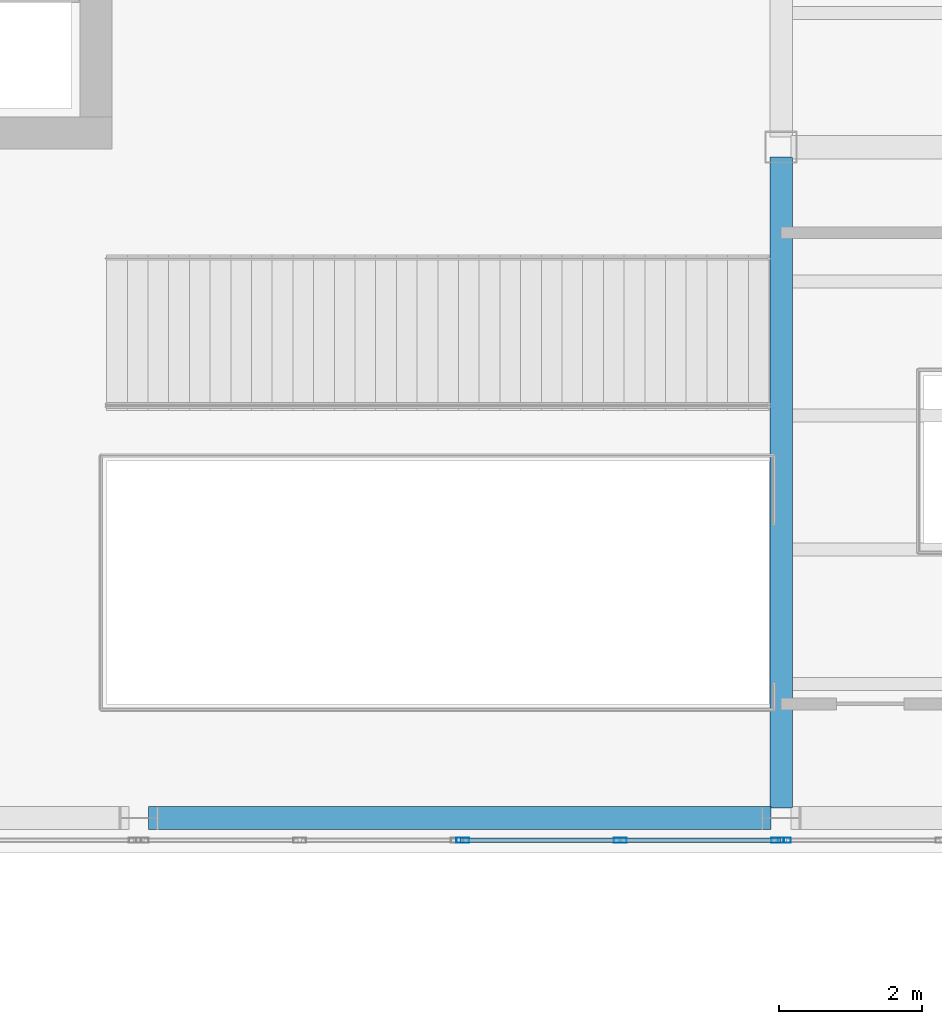
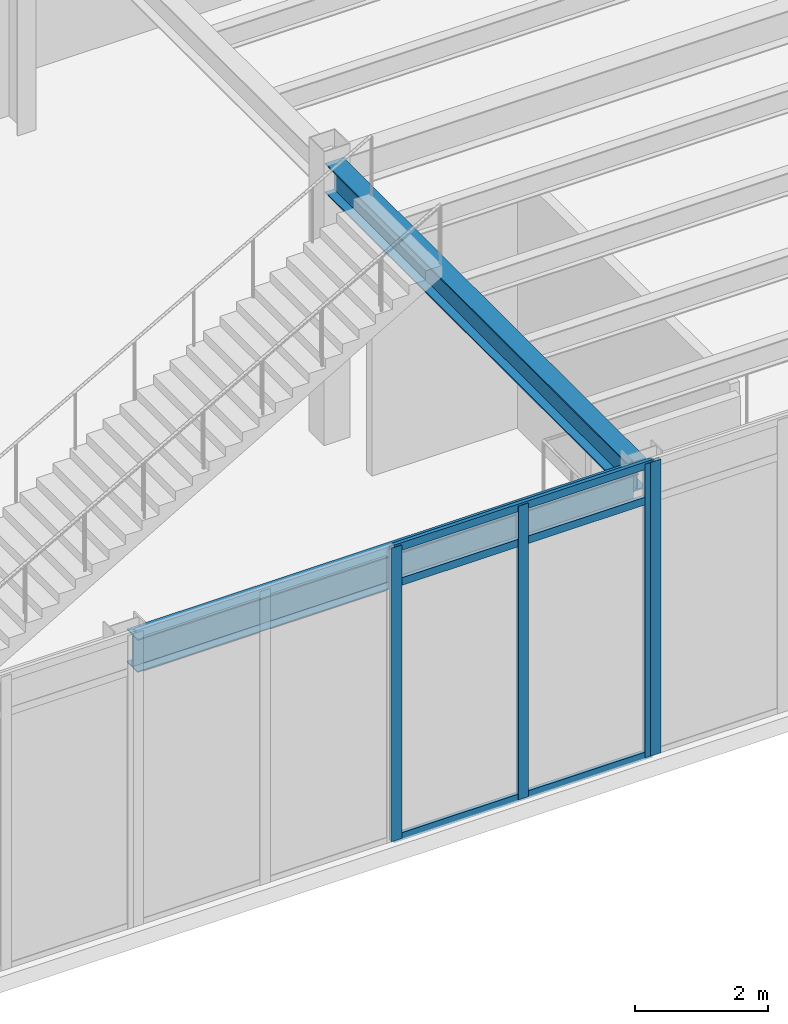
# One storey, part 56 of 98: 7 members, 2 beams, 2 elements without a shape of their own.
"""IFC4 building model written with IfcOpenShell, lengths in metres."""

from ifc_helpers import new_model, si_unit, direction, frame, origin, origin_2d, place, context, subcontext, project, spatial, hollow_rectangle, i_section, extrude, material, layer, layer_set, material_profile, profile_set, type_object, element, aggregate, save


model = new_model("IFC4")

# Units and contexts
model_context = context("Model", 3, precision=1e-05, world=origin(), true_north=direction((0.0, 1.0)))
body_context = subcontext(model_context, "Body", "Model", "MODEL_VIEW")
ifc_project = project(units=[si_unit("LENGTHUNIT", "METRE"), si_unit("AREAUNIT", "SQUARE_METRE"), si_unit("VOLUMEUNIT", "CUBIC_METRE"), si_unit("PLANEANGLEUNIT", "RADIAN"), si_unit("MASSUNIT", "GRAM", prefix="KILO")], contexts=[model_context])

# Site, building, storey
site_placement = place(None, origin())
site = spatial("IfcSite", under=ifc_project, at=site_placement, CompositionType="ELEMENT")
building_placement = place(site_placement, origin())
building = spatial("IfcBuilding", under=site, at=building_placement, Name="Sollismere Congress Hotel", CompositionType="ELEMENT")
storey_placement = place(building_placement, frame((0.0, 0.0, 5.39990234375)))
storey = spatial("IfcBuildingStorey", under=building, at=storey_placement, Name="L01", CompositionType="ELEMENT", Elevation=5.39990234375)

# Beams
ifc_material_1 = material(Name="Steel ASTM A992 Grade 50", Category="steel")
ifc_material_profile_1 = material_profile(ifc_material_1, i_section(OverallWidth=0.31494140625, OverallDepth=0.551025390625, WebThickness=0.01513671875, FlangeThickness=0.0244140625, at=origin_2d()), Name="W21X122")
ifc_profile_set_1 = profile_set([ifc_material_profile_1], Name="Steel ASTM A992 Grade 50")
beam_type_1 = type_object("IfcBeamType", Name="BM-G21H", PredefinedType="BEAM", material=ifc_profile_set_1)
beam_1_placement = place(storey_placement, frame((94.0, 66.93994140625, 4.844482421875), z_axis=(0.0, 1.0, 0.0), x_axis=(-1.0, 0.0, 0.0)))
element("IfcBeam", 1, at=beam_1_placement, inside=storey, type_object=beam_type_1, Name="Beam BM-L01-1670", PredefinedType="BEAM", context=body_context, shape_type="SweptSolid", body=[
    extrude(i_section(OverallWidth=0.31494140625, OverallDepth=0.551025390625, WebThickness=0.01513671875, FlangeThickness=0.0244140625, at=origin_2d()), origin(), (0.0, 0.0, 1.0), 9.1201171875),
])
ifc_material_profile_2 = material_profile(ifc_material_1, i_section(OverallWidth=0.324951171875, OverallDepth=0.612060546875, WebThickness=0.0126953125, FlangeThickness=0.01904296875, at=origin_2d()), Name="W24X104")
ifc_profile_set_2 = profile_set([ifc_material_profile_2], Name="Steel ASTM A992 Grade 50")
beam_type_2 = type_object("IfcBeamType", Name="BM-G24", PredefinedType="BEAM", material=ifc_profile_set_2)
beam_2_placement = place(storey_placement, frame((85.139892578125, 66.800048828125, 4.814208984375), z_axis=(1.0, 0.0, 0.0), x_axis=(0.0, 1.0, 0.0)))
element("IfcBeam", 2, at=beam_2_placement, inside=storey, type_object=beam_type_2, Name="Beam BM-L01-1592", PredefinedType="BEAM", context=body_context, shape_type="SweptSolid", body=[
    extrude(i_section(OverallWidth=0.324951171875, OverallDepth=0.612060546875, WebThickness=0.0126953125, FlangeThickness=0.01904296875, at=origin_2d()), origin(), (0.0, 0.0, 1.0), 8.72021484375),
])

# Curtain wall, members
ifc_material_2 = material(Name="Anodized Bronze Curtain Wall & Low-E Triple Glazing", Category="glass")
ifc_layer = layer(ifc_material_2, 0.199951171875, Name="Anodized Bronze Curtain Wall & Low-E Triple Glazing")
ifc_layer_set = layer_set([ifc_layer], Name="Anodized Bronze Curtain Wall & Low-E Triple Glazing")
curtain_wall_type = type_object("IfcCurtainWallType", Name="CW-GLZ36", PredefinedType="USERDEFINED", material=ifc_layer_set)
curtain_wall_1_placement = place(storey_placement, origin())
curtain_wall_1 = element("IfcCurtainWall", 3, at=curtain_wall_1_placement, inside=storey, type_object=curtain_wall_type, Name="Unitised curtain wall CW-L01-094", ObjectType="UNITISED CURTAIN WALL", PredefinedType="USERDEFINED")
ifc_material_3 = material(Name="Anodized Aluminum 6063-T6", Category="aluminium")
ifc_material_profile_3 = material_profile(ifc_material_3, hollow_rectangle(XDim=0.074951171875, YDim=0.179931640625, WallThickness=0.0048828125, at=origin_2d()), Name="ALU180X75X5")
ifc_profile_set_3 = profile_set([ifc_material_profile_3], Name="Anodized Aluminum 6063-T6")
member_type_1 = type_object("IfcMemberType", Name="ML-CW180", PredefinedType="MULLION", material=ifc_profile_set_3)
member_1_placement = place(storey_placement, frame((89.5380859375, 66.489990234375, 0.0), z_axis=(0.0, 0.0, 1.0), x_axis=(0.0, 1.0, 0.0)))
member_1 = element("IfcMember", 4, at=member_1_placement, type_object=member_type_1, Name="CWL-CW-L01-094-ML01", PredefinedType="MULLION", context=body_context, shape_type="SweptSolid", body=[
    extrude(hollow_rectangle(XDim=0.074951171875, YDim=0.179931640625, WallThickness=0.0048828125, at=origin_2d()), origin(), (0.0, 0.0, 1.0), 5.400146484375),
])
member_2_placement = place(storey_placement, frame((91.7451171875, 66.489990234375, 0.0), z_axis=(0.0, 0.0, 1.0), x_axis=(0.0, 1.0, 0.0)))
member_2 = element("IfcMember", 5, at=member_2_placement, type_object=member_type_1, Name="CWL-CW-L01-094-ML02", PredefinedType="MULLION", context=body_context, shape_type="SweptSolid", body=[
    extrude(hollow_rectangle(XDim=0.074951171875, YDim=0.179931640625, WallThickness=0.0048828125, at=origin_2d()), origin(), (0.0, 0.0, 1.0), 5.400146484375),
])
member_3_placement = place(storey_placement, frame((93.951904296875, 66.489990234375, 0.0), z_axis=(0.0, 0.0, 1.0), x_axis=(0.0, 1.0, 0.0)))
member_3 = element("IfcMember", 6, at=member_3_placement, type_object=member_type_1, Name="CWL-CW-L01-094-ML03", PredefinedType="MULLION", context=body_context, shape_type="SweptSolid", body=[
    extrude(hollow_rectangle(XDim=0.074951171875, YDim=0.179931640625, WallThickness=0.0048828125, at=origin_2d()), origin(), (0.0, 0.0, 1.0), 5.400146484375),
])

# Curtain wall, member
curtain_wall_2_placement = place(storey_placement, origin())
curtain_wall_2 = element("IfcCurtainWall", 7, at=curtain_wall_2_placement, inside=storey, type_object=curtain_wall_type, Name="Unitised curtain wall CW-L01-095", ObjectType="UNITISED CURTAIN WALL", PredefinedType="USERDEFINED")
member_4_placement = place(storey_placement, frame((94.048095703125, 66.489990234375, 0.0), z_axis=(0.0, 0.0, 1.0), x_axis=(0.0, 1.0, 0.0)))
member_4 = element("IfcMember", 8, at=member_4_placement, type_object=member_type_1, Name="CWL-CW-L01-095-ML01", PredefinedType="MULLION", context=body_context, shape_type="SweptSolid", body=[
    extrude(hollow_rectangle(XDim=0.074951171875, YDim=0.179931640625, WallThickness=0.0048828125, at=origin_2d()), origin(), (0.0, 0.0, 1.0), 5.400146484375),
])
aggregate(curtain_wall_2, [member_4])

# Member
ifc_material_profile_4 = material_profile(ifc_material_3, hollow_rectangle(XDim=0.06494140625, YDim=0.139892578125, WallThickness=0.00390625, at=origin_2d()), Name="ALU140X65X4")
ifc_profile_set_4 = profile_set([ifc_material_profile_4], Name="Anodized Aluminum 6063-T6")
member_type_2 = type_object("IfcMemberType", Name="TR-CW150", PredefinedType="MEMBER", material=ifc_profile_set_4)
member_5_placement = place(storey_placement, frame((89.5, 66.489990234375, 0.03271484375), z_axis=(1.0, 0.0, 0.0), x_axis=(0.0, 1.0, 0.0)))
member_5 = element("IfcMember", 9, at=member_5_placement, type_object=member_type_2, Name="CWL-CW-L01-094-TR1", PredefinedType="MEMBER", context=body_context, shape_type="SweptSolid", body=[
    extrude(hollow_rectangle(XDim=0.06494140625, YDim=0.139892578125, WallThickness=0.00390625, at=origin_2d()), origin(), (0.0, 0.0, 1.0), 4.489990234375),
])

member_6_placement = place(storey_placement, frame((89.5, 66.489990234375, 4.72021484375), z_axis=(1.0, 0.0, 0.0), x_axis=(0.0, 1.0, 0.0)))
member_6 = element("IfcMember", 10, at=member_6_placement, type_object=member_type_2, Name="CWL-CW-L01-094-TR2", PredefinedType="MEMBER", context=body_context, shape_type="SweptSolid", body=[
    extrude(hollow_rectangle(XDim=0.06494140625, YDim=0.139892578125, WallThickness=0.00390625, at=origin_2d()), origin(), (0.0, 0.0, 1.0), 4.489990234375),
])

member_7_placement = place(storey_placement, frame((89.5, 66.489990234375, 5.36767578125), z_axis=(1.0, 0.0, 0.0), x_axis=(0.0, 1.0, 0.0)))
member_7 = element("IfcMember", 11, at=member_7_placement, type_object=member_type_2, Name="CWL-CW-L01-094-TR3", PredefinedType="MEMBER", context=body_context, shape_type="SweptSolid", body=[
    extrude(hollow_rectangle(XDim=0.06494140625, YDim=0.139892578125, WallThickness=0.00390625, at=origin_2d()), origin(), (0.0, 0.0, 1.0), 4.489990234375),
])

aggregate(curtain_wall_1, [member_1, member_2, member_3, member_5, member_6, member_7])

save(model, "model.ifc")
